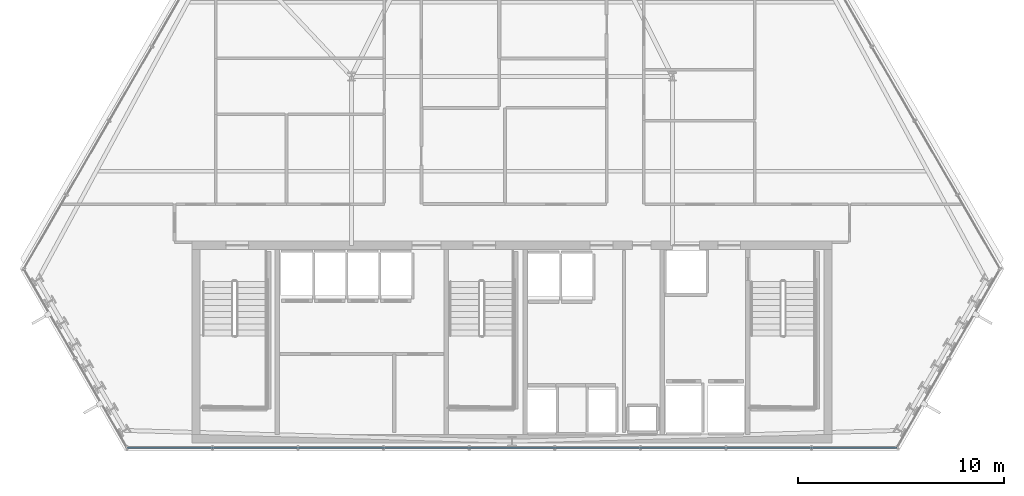
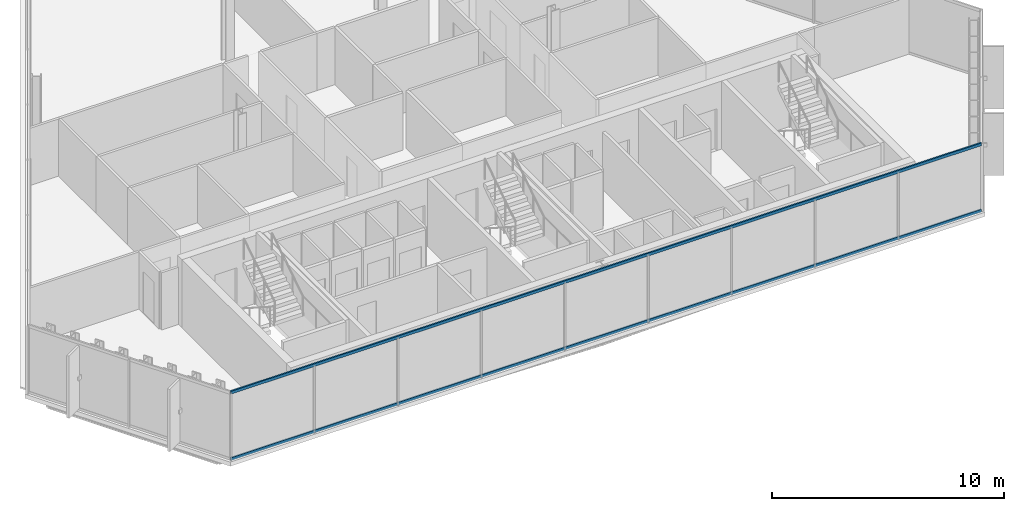
# One storey, part 8 of 35: 2 members, 1 element without a shape of its own.
"""IFC4 building model written with IfcOpenShell, lengths in metres."""

from ifc_helpers import new_model, si_unit, direction, frame, origin, origin_2d, place, context, subcontext, project, spatial, hollow_rectangle, extrude, material, layer, layer_set, material_profile, profile_set, type_object, element, aggregate, save


model = new_model("IFC4")

# Units and contexts
model_context = context("Model", 3, precision=1e-05, world=origin(), true_north=direction((0.0, 1.0)))
body_context = subcontext(model_context, "Body", "Model", "MODEL_VIEW")
ifc_project = project(units=[si_unit("LENGTHUNIT", "METRE"), si_unit("AREAUNIT", "SQUARE_METRE"), si_unit("VOLUMEUNIT", "CUBIC_METRE"), si_unit("PLANEANGLEUNIT", "RADIAN"), si_unit("MASSUNIT", "GRAM", prefix="KILO")], contexts=[model_context])

# Site, building, storey
site_placement = place(None, origin())
site = spatial("IfcSite", under=ifc_project, at=site_placement, CompositionType="ELEMENT")
building_placement = place(site_placement, origin())
building = spatial("IfcBuilding", under=site, at=building_placement, Name="Ndaravel Arena Tower", CompositionType="ELEMENT")
storey_placement = place(building_placement, frame((0.0, 0.0, 172.60009765625)))
storey = spatial("IfcBuildingStorey", under=building, at=storey_placement, Name="L41", CompositionType="ELEMENT", Elevation=172.60009765625)

# Curtain wall, members
ifc_material_1 = material(Name="Aluminium", Category="aluminium")
ifc_layer = layer(ifc_material_1, 0.179931640625)
ifc_layer_set = layer_set([ifc_layer], Name="Aluminium")
curtain_wall_type = type_object("IfcCurtainWallType", Name="CW-SYS-03", PredefinedType="NOTDEFINED", material=ifc_layer_set)
curtain_wall_placement = place(storey_placement, origin())
curtain_wall = element("IfcCurtainWall", 1, at=curtain_wall_placement, inside=storey, type_object=curtain_wall_type, Name="L41 Faceted Crystal Curtain Wall CW-L41-E01", PredefinedType="NOTDEFINED")
ifc_material_2 = material(Name="Aluminium", Category="aluminium")
ifc_material_profile = material_profile(ifc_material_2, hollow_rectangle(XDim=0.074951171875, YDim=0.14990234375, WallThickness=0.00390625, at=origin_2d()), Name="CW TRANSOM 75x150x4")
ifc_profile_set = profile_set([ifc_material_profile], Name="Aluminium")
member_type = type_object("IfcMemberType", Name="MEM-CW-TRN150", PredefinedType="USERDEFINED", material=ifc_profile_set)
member_1_placement = place(storey_placement, frame((23.296630859375, 5.159912109375, 0.039794921875), z_axis=(1.0, 0.0, 0.0), x_axis=(0.0, 1.0, 0.0)))
member_1 = element("IfcMember", 2, at=member_1_placement, type_object=member_type, Name="CW-L41-E01 Transom 01", ObjectType="TRANSOM", PredefinedType="USERDEFINED", context=body_context, shape_type="SweptSolid", body=[
    extrude(hollow_rectangle(XDim=0.074951171875, YDim=0.14990234375, WallThickness=0.00390625, at=origin_2d()), origin(), (0.0, 0.0, 1.0), 37.40673828125),
])
member_2_placement = place(storey_placement, frame((23.296630859375, 5.159912109375, 3.539794921875), z_axis=(1.0, 0.0, 0.0), x_axis=(0.0, 1.0, 0.0)))
member_2 = element("IfcMember", 3, at=member_2_placement, type_object=member_type, Name="CW-L41-E01 Transom 02", ObjectType="TRANSOM", PredefinedType="USERDEFINED", context=body_context, shape_type="SweptSolid", body=[
    extrude(hollow_rectangle(XDim=0.074951171875, YDim=0.14990234375, WallThickness=0.00390625, at=origin_2d()), origin(), (0.0, 0.0, 1.0), 37.40673828125),
])
aggregate(curtain_wall, [member_1, member_2])

save(model, "model.ifc")
